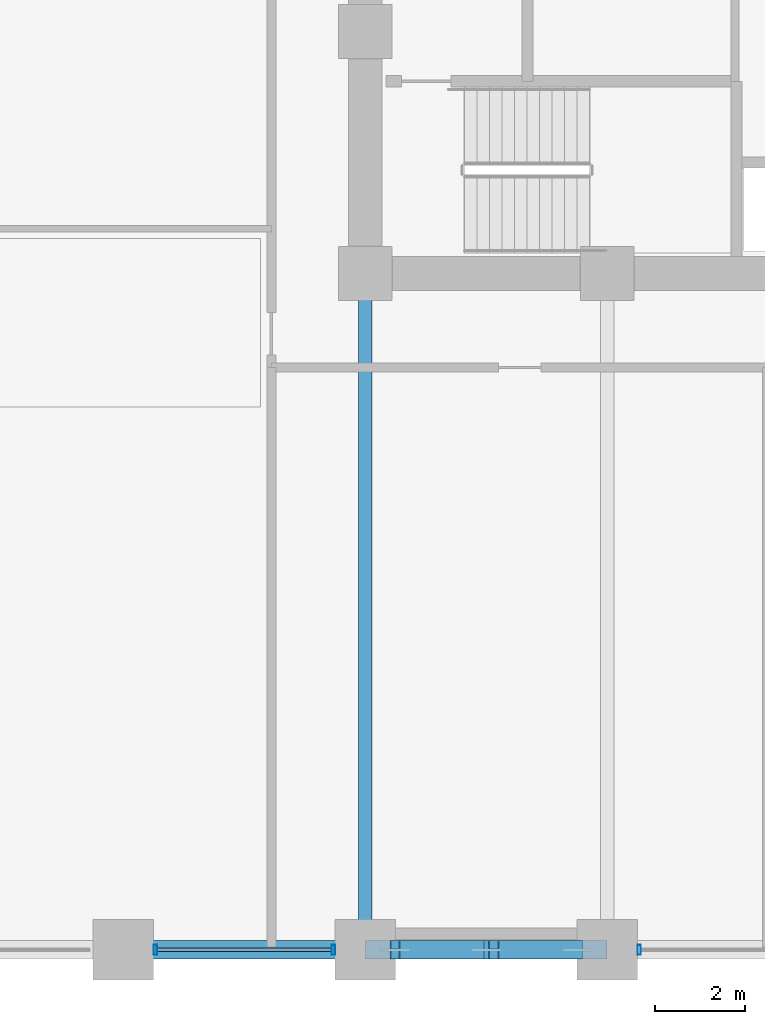
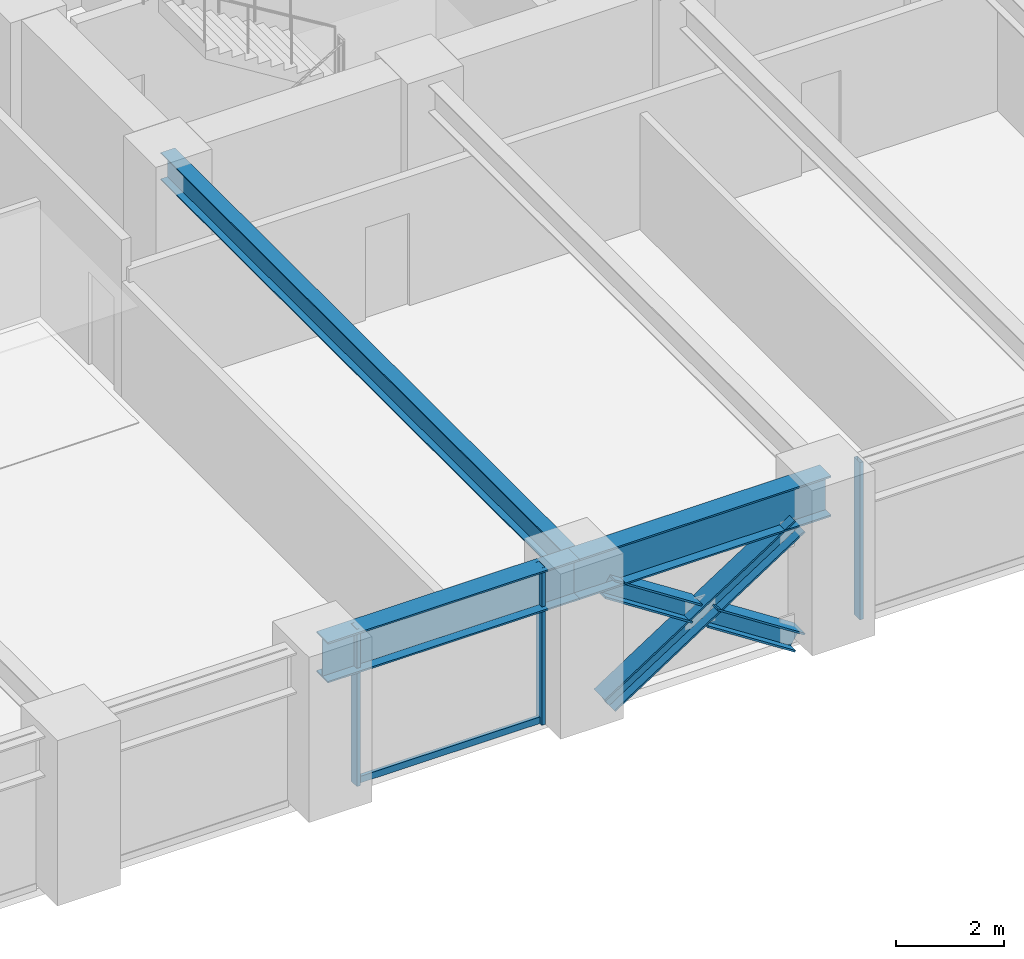
# One storey, part 4 of 25: 7 members, 3 beams, 2 elements without a shape of their own.
"""IFC4 building model written with IfcOpenShell, lengths in metres."""

import ifcopenshell
import ifcopenshell.guid

model = None  # the IFC model being written
_history = None  # IfcOwnerHistory: only IFC2X3 demands one
_inside = {}  # id of a spatial element -> (the spatial element, [elements in it])
_under = {}  # id of a project, library or spatial element -> (it, [spatial elements below it])
_declared = {}  # id of a project -> (the project, [libraries it declares])
_typed = {}  # id of a type object -> (the type object, [elements of that type])
_made_of = {}  # id of a material, layer set ... -> (it, [elements and type objects made of it])


def new_model(schema):
    """Start an empty IFC model of exactly this schema.

    Asked for "IFC4X3", IfcOpenShell would pick the latest addendum, in which some entities
    have other attributes; the version numbers below select the first issue.
    IFC2X3 requires an IfcOwnerHistory on every rooted entity: one is made here for all.
    """
    global model, _history
    if schema == "IFC4X3":
        model = ifcopenshell.file(schema_version=(4, 3, 0, 0))
    else:
        model = ifcopenshell.file(schema=schema)
    _inside.clear()
    _under.clear()
    _declared.clear()
    _typed.clear()
    _made_of.clear()
    _history = None
    if model.schema == "IFC2X3":
        org = make("IfcOrganization", Name="unknown")
        user = make(
            "IfcPersonAndOrganization",
            ThePerson=make("IfcPerson", FamilyName="unknown"),
            TheOrganization=org,
        )
        app = make(
            "IfcApplication",
            ApplicationDeveloper=org,
            Version="unknown",
            ApplicationFullName="unknown",
            ApplicationIdentifier="unknown",
        )
        _history = make(
            "IfcOwnerHistory",
            OwningUser=user,
            OwningApplication=app,
            ChangeAction="ADDED",
            CreationDate=0,
        )
    return model


def make(cls, **values):
    """One entity of the class cls with the attributes given. An attribute that is None is left unset."""
    return model.create_entity(
        cls, **{name: value for name, value in values.items() if value is not None}
    )


def rooted(cls, **values):
    """An entity with a GlobalId (a new one), such as an element, a storey or a relation."""
    return make(cls, GlobalId=ifcopenshell.guid.new(), OwnerHistory=_history, **values)


def si_unit(unit_type, name, prefix=None):
    """IfcSIUnit, for example si_unit("LENGTHUNIT", "METRE", prefix="MILLI")."""
    return make("IfcSIUnit", UnitType=unit_type, Prefix=prefix, Name=name)


def assignment(units):
    """IfcUnitAssignment: the units of a project."""
    return None if units is None else make("IfcUnitAssignment", Units=units)


def point(xyz):
    """IfcCartesianPoint."""
    return None if xyz is None else make("IfcCartesianPoint", Coordinates=xyz)


def direction(xyz):
    """IfcDirection."""
    return None if xyz is None else make("IfcDirection", DirectionRatios=xyz)


def frame(location, z_axis=None, x_axis=None):
    """IfcAxis2Placement3D, a coordinate frame: its origin and axes. An axis left out is left unset."""
    return make(
        "IfcAxis2Placement3D",
        Location=point(location),
        Axis=direction(z_axis),
        RefDirection=direction(x_axis),
    )


def frame_2d(location, x_axis=None):
    """IfcAxis2Placement2D, a coordinate frame in the plane: its origin and x axis."""
    return make(
        "IfcAxis2Placement2D", Location=point(location), RefDirection=direction(x_axis)
    )


def origin():
    """The frame at (0, 0, 0) with its axes left unset."""
    return frame((0.0, 0.0, 0.0))


def origin_2d():
    """The frame at (0, 0) in the plane with its x axis left unset."""
    return frame_2d((0.0, 0.0))


def place(relative_to, where):
    """IfcLocalPlacement: puts the frame where relative to a parent placement (None: the world)."""
    return make(
        "IfcLocalPlacement", PlacementRelTo=relative_to, RelativePlacement=where
    )


def context(
    kind, dimensions, precision=None, world=None, true_north=None, identifier=None
):
    """IfcGeometricRepresentationContext, for example the 3D "Model" context."""
    return make(
        "IfcGeometricRepresentationContext",
        ContextIdentifier=identifier,
        ContextType=kind,
        CoordinateSpaceDimension=dimensions,
        Precision=precision,
        WorldCoordinateSystem=world,
        TrueNorth=true_north,
    )


def subcontext(parent, identifier, kind, view, scale=None):
    """IfcGeometricRepresentationSubContext, for example "Body" below "Model"."""
    return make(
        "IfcGeometricRepresentationSubContext",
        ContextIdentifier=identifier,
        ContextType=kind,
        ParentContext=parent,
        TargetScale=scale,
        TargetView=view,
    )


def project(units=None, contexts=None):
    """IfcProject with its units and contexts."""
    return rooted(
        "IfcProject",
        Name="project",
        RepresentationContexts=contexts,
        UnitsInContext=assignment(units),
    )


def spatial(cls, under=None, at=None, **own):
    """A site, building, storey or space (cls), placed at a placement, below another one or the project."""
    s = rooted(cls, ObjectPlacement=at, **own)
    if under is not None:
        _under.setdefault(under.id(), (under, []))[1].append(s)
    return s


def profile(cls, at=None, kind="AREA", **sizes):
    """A parametric profile (cls). Its sizes go by their IFC names, for example OverallWidth=200.0."""
    return make(cls, ProfileType=kind, Position=at, **sizes)


def hollow_rectangle(**sizes):
    """IfcRectangleHollowProfileDef."""
    return profile("IfcRectangleHollowProfileDef", **sizes)


def i_section(**sizes):
    """IfcIShapeProfileDef."""
    return profile("IfcIShapeProfileDef", **sizes)


def extrude(swept, where, along, depth):
    """IfcExtrudedAreaSolid: the profile swept, set in the frame where, extruded along a direction by depth."""
    return make(
        "IfcExtrudedAreaSolid",
        SweptArea=swept,
        Position=where,
        ExtrudedDirection=direction(along),
        Depth=depth,
    )


def shape(context_of_items, identifier, shape_type, items):
    """IfcShapeRepresentation: the items that make up one representation, for example the "Body"."""
    return make(
        "IfcShapeRepresentation",
        ContextOfItems=context_of_items,
        RepresentationIdentifier=identifier,
        RepresentationType=shape_type,
        Items=items,
    )


def material(Name=None, Category=None):
    """IfcMaterial."""
    return make("IfcMaterial", Name=Name, Category=Category)


def layer(
    of_material, thickness, ventilated=None, Name=None, Category=None, Priority=None
):
    """IfcMaterialLayer: one layer of a wall or slab, of a material (None: an air gap)."""
    return make(
        "IfcMaterialLayer",
        Material=of_material,
        LayerThickness=thickness,
        IsVentilated=ventilated,
        Name=Name,
        Category=Category,
        Priority=Priority,
    )


def layer_set(layers, Name=None):
    """IfcMaterialLayerSet."""
    return make("IfcMaterialLayerSet", MaterialLayers=layers, LayerSetName=Name)


def material_profile(
    of_material, cross_section, Name=None, Category=None, Priority=None
):
    """IfcMaterialProfile: a cross section and its material."""
    return make(
        "IfcMaterialProfile",
        Name=Name,
        Material=of_material,
        Profile=cross_section,
        Priority=Priority,
        Category=Category,
    )


def profile_set(profiles, Name=None, composite=None):
    """IfcMaterialProfileSet."""
    return make(
        "IfcMaterialProfileSet",
        Name=Name,
        MaterialProfiles=profiles,
        CompositeProfile=composite,
    )


def made_of(thing, what):
    """Note that an element or type object is made of a material, layer set ...; save() writes the relation."""
    if what is not None:
        _made_of.setdefault(what.id(), (what, []))[1].append(thing)
    return thing


def type_object(cls, material=None, **own):
    """A type object (cls), such as IfcWallType, which elements share."""
    return made_of(rooted(cls, **own), material)


def element(
    cls,
    number,
    at=None,
    inside=None,
    cuts=None,
    type_object=None,
    material=None,
    context=None,
    identifier="Body",
    shape_type=None,
    held_by="IfcProductDefinitionShape",
    body=None,
    shapes=None,
    **own,
):
    """One element of the class cls, such as IfcWall. Its Tag is "e" and its number.

    at: its placement. inside: the storey or other place that contains it. cuts: it is an
    opening in that element (IfcRelVoidsElement). A single representation is given by context,
    identifier, shape_type and body (its items); several are given by shapes. held_by: the class
    of the entity that holds the representations. save() writes the other relations.
    """
    e = rooted(cls, Tag="e%d" % number, ObjectPlacement=at, **own)
    if body is not None:
        shapes = [shape(context, identifier, shape_type, body)]
    if shapes is not None:
        e.Representation = make(held_by, Representations=shapes)
    if inside is not None:
        _inside.setdefault(inside.id(), (inside, []))[1].append(e)
    if cuts is not None:
        rooted(
            "IfcRelVoidsElement", RelatingBuildingElement=cuts, RelatedOpeningElement=e
        )
    if type_object is not None:
        _typed.setdefault(type_object.id(), (type_object, []))[1].append(e)
    return made_of(e, material)


def aggregate(whole, parts):
    """IfcRelAggregates: a whole, such as a stair, and the parts it consists of."""
    return rooted("IfcRelAggregates", RelatingObject=whole, RelatedObjects=parts)


def save(model, path):
    """Write the relations noted so far, then the file.

    IfcRelAggregates (storeys below a building ...), IfcRelContainedInSpatialStructure (elements
    in a storey), IfcRelDefinesByType, IfcRelAssociatesMaterial and IfcRelDeclares: one each for
    every whole, place, type object, material and project.
    """
    for whole, parts in _under.values():
        aggregate(whole, parts)
    for where, things in _inside.values():
        rooted(
            "IfcRelContainedInSpatialStructure",
            RelatedElements=things,
            RelatingStructure=where,
        )
    for kind, things in _typed.values():
        rooted("IfcRelDefinesByType", RelatedObjects=things, RelatingType=kind)
    for what, things in _made_of.values():
        rooted("IfcRelAssociatesMaterial", RelatedObjects=things, RelatingMaterial=what)
    for by, libraries in _declared.values():
        rooted("IfcRelDeclares", RelatingContext=by, RelatedDefinitions=libraries)
    model.write(path)


model = new_model("IFC4")

# Units and contexts
model_context = context("Model", 3, precision=1e-05, world=origin(), true_north=direction((0.0, 1.0)))
body_context = subcontext(model_context, "Body", "Model", "MODEL_VIEW")
ifc_project = project(units=[si_unit("LENGTHUNIT", "METRE"), si_unit("AREAUNIT", "SQUARE_METRE"), si_unit("VOLUMEUNIT", "CUBIC_METRE"), si_unit("PLANEANGLEUNIT", "RADIAN"), si_unit("MASSUNIT", "GRAM", prefix="KILO")], contexts=[model_context])

# Site, building, storey
site_placement = place(None, origin())
site = spatial("IfcSite", under=ifc_project, at=site_placement, CompositionType="ELEMENT")
building_placement = place(site_placement, origin())
building = spatial("IfcBuilding", under=site, at=building_placement, Name="Surkhivell Harbour Commons", CompositionType="ELEMENT")
storey_placement = place(building_placement, frame((0.0, 0.0, 45.0)))
storey = spatial("IfcBuildingStorey", under=building, at=storey_placement, Name="L11", CompositionType="ELEMENT", Elevation=45.0)

# Beams
ifc_material_1 = material(Name="Steel S355", Category="steel")
ifc_material_profile_1 = material_profile(ifc_material_1, i_section(OverallWidth=0.306884765625, OverallDepth=0.6201171875, WebThickness=0.01416015625, FlangeThickness=0.023681640625, at=origin_2d()), Name="UB610x305x179")
ifc_profile_set_1 = profile_set([ifc_material_profile_1], Name="Steel S355")
beam_type_1 = type_object("IfcBeamType", Name="BM-GRD-610A", PredefinedType="BEAM", material=ifc_profile_set_1)
beam_1_placement = place(storey_placement, frame((-10.800048828125, -25.89990234375, 3.260009765625), z_axis=(0.0, 1.0, 0.0), x_axis=(-1.0, 0.0, 0.0)))
element("IfcBeam", 1, at=beam_1_placement, inside=storey, type_object=beam_type_1, Name="L11 Floor Girder (-10.8,-25.9)", PredefinedType="BEAM", context=body_context, shape_type="SweptSolid", body=[
    extrude(i_section(OverallWidth=0.306884765625, OverallDepth=0.6201171875, WebThickness=0.01416015625, FlangeThickness=0.023681640625, at=origin_2d()), origin(), (0.0, 0.0, 1.0), 15.099853515625),
])
ifc_material_2 = material(Name="Steel S460", Category="steel")
ifc_material_profile_2 = material_profile(ifc_material_2, i_section(OverallWidth=0.419921875, OverallDepth=0.9208984375, WebThickness=0.021484375, FlangeThickness=0.03662109375, at=origin_2d()), Name="UB914x419x388")
ifc_profile_set_2 = profile_set([ifc_material_profile_2], Name="Steel S460")
beam_type_2 = type_object("IfcBeamType", Name="BM-SPN-914A", PredefinedType="SPANDREL", material=ifc_profile_set_2)
beam_2_placement = place(storey_placement, frame((-16.199951171875, -25.89990234375, 3.109619140625), z_axis=(1.0, 0.0, 0.0), x_axis=(0.0, 1.0, 0.0)))
element("IfcBeam", 2, at=beam_2_placement, inside=storey, type_object=beam_type_2, Name="L11 Tube Spandrel (-16.2,-25.9)", PredefinedType="SPANDREL", context=body_context, shape_type="SweptSolid", body=[
    extrude(i_section(OverallWidth=0.419921875, OverallDepth=0.9208984375, WebThickness=0.021484375, FlangeThickness=0.03662109375, at=origin_2d()), origin(), (0.0, 0.0, 1.0), 5.39990234375),
])
beam_3_placement = place(storey_placement, frame((-10.800048828125, -25.89990234375, 3.109619140625), z_axis=(1.0, 0.0, 0.0), x_axis=(0.0, 1.0, 0.0)))
element("IfcBeam", 3, at=beam_3_placement, inside=storey, type_object=beam_type_2, Name="L11 Tube Spandrel (-10.8,-25.9)", PredefinedType="SPANDREL", context=body_context, shape_type="SweptSolid", body=[
    extrude(i_section(OverallWidth=0.419921875, OverallDepth=0.9208984375, WebThickness=0.021484375, FlangeThickness=0.03662109375, at=origin_2d()), origin(), (0.0, 0.0, 1.0), 5.400146484375),
])

# Curtain wall, members
ifc_material_3 = material(Name="Anodised pale-metal aluminium and insulated glazing", Category="aluminium")
ifc_layer = layer(ifc_material_3, 0.219970703125)
ifc_layer_set = layer_set([ifc_layer], Name="Anodised pale-metal aluminium and insulated glazing")
curtain_wall_type = type_object("IfcCurtainWallType", Name="CW-SYS-Z1", PredefinedType="NOTDEFINED", material=ifc_layer_set)
curtain_wall_1_placement = place(storey_placement, origin())
curtain_wall_1 = element("IfcCurtainWall", 4, at=curtain_wall_1_placement, inside=storey, type_object=curtain_wall_type, Name="L11 Curtain Wall CW-L11-E00S1", PredefinedType="NOTDEFINED")
ifc_material_4 = material(Name="Anodised pale-metal aluminium alloy 6063-T6", Category="aluminium")
ifc_material_profile_3 = material_profile(ifc_material_4, hollow_rectangle(XDim=0.074951171875, YDim=0.219970703125, WallThickness=0.00390625, at=origin_2d()), Name="ALU-MULL-75x220")
ifc_profile_set_3 = profile_set([ifc_material_profile_3], Name="Anodised pale-metal aluminium alloy 6063-T6")
member_type_1 = type_object("IfcMemberType", Name="CWM-220", PredefinedType="MULLION", material=ifc_profile_set_3)
member_1_placement = place(storey_placement, frame((-15.485595703125, -25.89990234375, 0.0), z_axis=(0.0, 0.0, 1.0), x_axis=(1.0, 0.0, 0.0)))
member_1 = element("IfcMember", 5, at=member_1_placement, type_object=member_type_1, Name="CW-Z1 mullion 3", PredefinedType="MULLION", context=body_context, shape_type="SweptSolid", body=[
    extrude(hollow_rectangle(XDim=0.074951171875, YDim=0.219970703125, WallThickness=0.00390625, at=origin_2d()), origin(), (0.0, 0.0, 1.0), 3.570068359375),
])
member_2_placement = place(storey_placement, frame((-11.514404296875, -25.89990234375, 0.0), z_axis=(0.0, 0.0, 1.0), x_axis=(1.0, 0.0, 0.0)))
member_2 = element("IfcMember", 6, at=member_2_placement, type_object=member_type_1, Name="CW-Z1 mullion 4", PredefinedType="MULLION", context=body_context, shape_type="SweptSolid", body=[
    extrude(hollow_rectangle(XDim=0.074951171875, YDim=0.219970703125, WallThickness=0.00390625, at=origin_2d()), origin(), (0.0, 0.0, 1.0), 3.570068359375),
])

# Curtain wall, member
curtain_wall_2_placement = place(storey_placement, origin())
curtain_wall_2 = element("IfcCurtainWall", 7, at=curtain_wall_2_placement, inside=storey, type_object=curtain_wall_type, Name="L11 Curtain Wall CW-L11-E00S2", PredefinedType="NOTDEFINED")
member_3_placement = place(storey_placement, frame((-4.685546875, -25.89990234375, 0.0), z_axis=(0.0, 0.0, 1.0), x_axis=(1.0, 0.0, 0.0)))
member_3 = element("IfcMember", 8, at=member_3_placement, type_object=member_type_1, Name="CW-Z1 mullion 1", PredefinedType="MULLION", context=body_context, shape_type="SweptSolid", body=[
    extrude(hollow_rectangle(XDim=0.074951171875, YDim=0.219970703125, WallThickness=0.00390625, at=origin_2d()), origin(), (0.0, 0.0, 1.0), 3.570068359375),
])
aggregate(curtain_wall_2, [member_3])

# Member
ifc_material_profile_4 = material_profile(ifc_material_4, hollow_rectangle(XDim=0.074951171875, YDim=0.14990234375, WallThickness=0.00341796875, at=origin_2d()), Name="ALU-TRAN-75x150")
ifc_profile_set_4 = profile_set([ifc_material_profile_4], Name="Anodised pale-metal aluminium alloy 6063-T6")
member_type_2 = type_object("IfcMemberType", Name="CWT-150", PredefinedType="USERDEFINED", material=ifc_profile_set_4)
member_4_placement = place(storey_placement, frame((-15.447998046875, -25.89990234375, 0.074951171875), z_axis=(1.0, 0.0, 0.0), x_axis=(0.0, 1.0, 0.0)))
member_4 = element("IfcMember", 9, at=member_4_placement, type_object=member_type_2, Name="CW-Z1 transom 3.1", ObjectType="TRANSOM", PredefinedType="USERDEFINED", context=body_context, shape_type="SweptSolid", body=[
    extrude(hollow_rectangle(XDim=0.074951171875, YDim=0.14990234375, WallThickness=0.00341796875, at=origin_2d()), origin(), (0.0, 0.0, 1.0), 3.89599609375),
])

aggregate(curtain_wall_1, [member_1, member_2, member_4])

# Members
ifc_material_profile_5 = material_profile(ifc_material_2, i_section(OverallWidth=0.406005859375, OverallDepth=0.416015625, WebThickness=0.026611328125, FlangeThickness=0.0390625, at=origin_2d()), Name="HD400x382")
ifc_profile_set_5 = profile_set([ifc_material_profile_5], Name="Steel S460")
member_type_3 = type_object("IfcMemberType", Name="MEM-BRC-HD382", PredefinedType="BRACE", material=ifc_profile_set_5)
member_5_placement = place(storey_placement, frame((-10.139892578125, -25.89990234375, 0.008056640625), z_axis=(0.839088897369, 0.0, 0.543994321949), x_axis=(0.0, 1.0, 0.0)))
element("IfcMember", 10, at=member_5_placement, inside=storey, type_object=member_type_3, Name="L11 Perimeter Mega-Brace MB- 07", PredefinedType="BRACE", context=body_context, shape_type="SweptSolid", body=[
    extrude(i_section(OverallWidth=0.406005859375, OverallDepth=0.416015625, WebThickness=0.026611328125, FlangeThickness=0.0390625, at=origin_2d()), origin(), (0.0, 0.0, 1.0), 4.8623046875),
])
for number, where, z_axis, x_axis, name in (
    (11, (-6.06005859375, -25.89990234375, 0.008056640625), (-0.83908547242, 0.0, 0.543999604756), (0.0, -1.0, 0.0), "L11 Perimeter Mega-Brace MB- 08"),
    (12, (-8.267578125, -25.89990234375, 1.439208984375), (-0.83908547242, 0.0, 0.543999604756), (0.0, -1.0, 0.0), "L11 Perimeter Mega-Brace MB- 09"),
):
    element("IfcMember", number, at=place(storey_placement, frame(where, z_axis=z_axis, x_axis=x_axis)), inside=storey, type_object=member_type_3, Name=name, PredefinedType="BRACE", context=body_context, shape_type="SweptSolid", body=[
        extrude(i_section(OverallWidth=0.406005859375, OverallDepth=0.416015625, WebThickness=0.026611328125, FlangeThickness=0.0390625, at=origin_2d()), origin(), (0.0, 0.0, 1.0), 2.2314453125),
    ])

save(model, "model.ifc")
